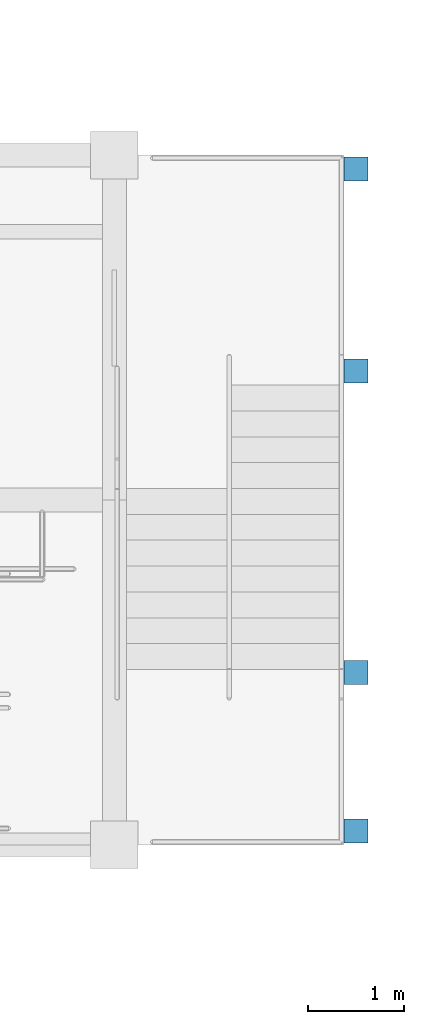
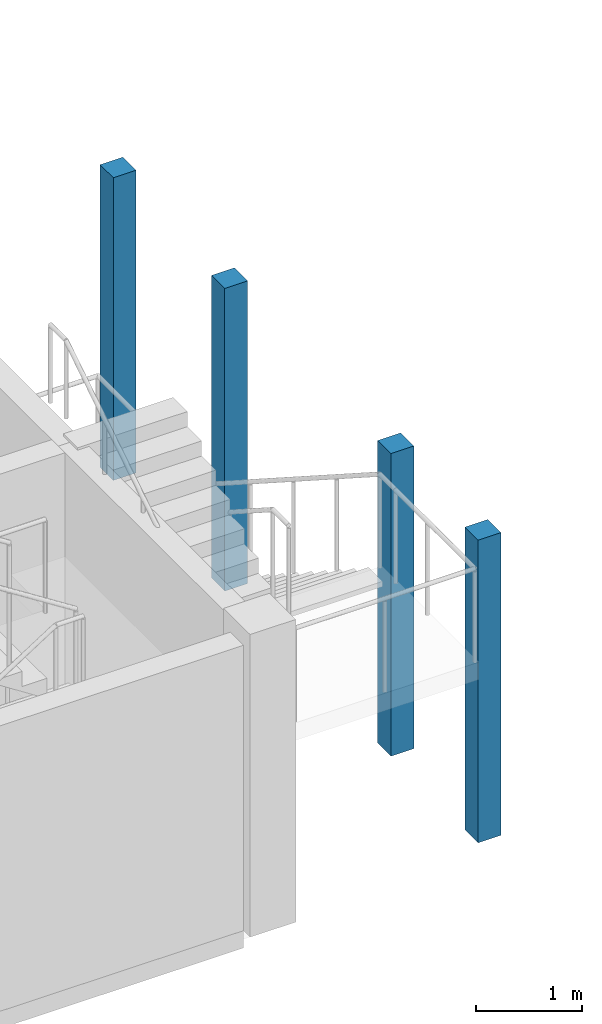
# One storey, part 2 of 101: 4 columns.
"""IFC4 building model written with IfcOpenShell, lengths in metres."""

import ifcopenshell
import ifcopenshell.guid

model = None  # the IFC model being written
_history = None  # IfcOwnerHistory: only IFC2X3 demands one
_inside = {}  # id of a spatial element -> (the spatial element, [elements in it])
_under = {}  # id of a project, library or spatial element -> (it, [spatial elements below it])
_declared = {}  # id of a project -> (the project, [libraries it declares])
_typed = {}  # id of a type object -> (the type object, [elements of that type])
_made_of = {}  # id of a material, layer set ... -> (it, [elements and type objects made of it])


def new_model(schema):
    """Start an empty IFC model of exactly this schema.

    Asked for "IFC4X3", IfcOpenShell would pick the latest addendum, in which some entities
    have other attributes; the version numbers below select the first issue.
    IFC2X3 requires an IfcOwnerHistory on every rooted entity: one is made here for all.
    """
    global model, _history
    if schema == "IFC4X3":
        model = ifcopenshell.file(schema_version=(4, 3, 0, 0))
    else:
        model = ifcopenshell.file(schema=schema)
    _inside.clear()
    _under.clear()
    _declared.clear()
    _typed.clear()
    _made_of.clear()
    _history = None
    if model.schema == "IFC2X3":
        org = make("IfcOrganization", Name="unknown")
        user = make(
            "IfcPersonAndOrganization",
            ThePerson=make("IfcPerson", FamilyName="unknown"),
            TheOrganization=org,
        )
        app = make(
            "IfcApplication",
            ApplicationDeveloper=org,
            Version="unknown",
            ApplicationFullName="unknown",
            ApplicationIdentifier="unknown",
        )
        _history = make(
            "IfcOwnerHistory",
            OwningUser=user,
            OwningApplication=app,
            ChangeAction="ADDED",
            CreationDate=0,
        )
    return model


def make(cls, **values):
    """One entity of the class cls with the attributes given. An attribute that is None is left unset."""
    return model.create_entity(
        cls, **{name: value for name, value in values.items() if value is not None}
    )


def rooted(cls, **values):
    """An entity with a GlobalId (a new one), such as an element, a storey or a relation."""
    return make(cls, GlobalId=ifcopenshell.guid.new(), OwnerHistory=_history, **values)


def si_unit(unit_type, name, prefix=None):
    """IfcSIUnit, for example si_unit("LENGTHUNIT", "METRE", prefix="MILLI")."""
    return make("IfcSIUnit", UnitType=unit_type, Prefix=prefix, Name=name)


def assignment(units):
    """IfcUnitAssignment: the units of a project."""
    return None if units is None else make("IfcUnitAssignment", Units=units)


def point(xyz):
    """IfcCartesianPoint."""
    return None if xyz is None else make("IfcCartesianPoint", Coordinates=xyz)


def direction(xyz):
    """IfcDirection."""
    return None if xyz is None else make("IfcDirection", DirectionRatios=xyz)


def frame(location, z_axis=None, x_axis=None):
    """IfcAxis2Placement3D, a coordinate frame: its origin and axes. An axis left out is left unset."""
    return make(
        "IfcAxis2Placement3D",
        Location=point(location),
        Axis=direction(z_axis),
        RefDirection=direction(x_axis),
    )


def frame_2d(location, x_axis=None):
    """IfcAxis2Placement2D, a coordinate frame in the plane: its origin and x axis."""
    return make(
        "IfcAxis2Placement2D", Location=point(location), RefDirection=direction(x_axis)
    )


def origin():
    """The frame at (0, 0, 0) with its axes left unset."""
    return frame((0.0, 0.0, 0.0))


def origin_2d():
    """The frame at (0, 0) in the plane with its x axis left unset."""
    return frame_2d((0.0, 0.0))


def place(relative_to, where):
    """IfcLocalPlacement: puts the frame where relative to a parent placement (None: the world)."""
    return make(
        "IfcLocalPlacement", PlacementRelTo=relative_to, RelativePlacement=where
    )


def context(
    kind, dimensions, precision=None, world=None, true_north=None, identifier=None
):
    """IfcGeometricRepresentationContext, for example the 3D "Model" context."""
    return make(
        "IfcGeometricRepresentationContext",
        ContextIdentifier=identifier,
        ContextType=kind,
        CoordinateSpaceDimension=dimensions,
        Precision=precision,
        WorldCoordinateSystem=world,
        TrueNorth=true_north,
    )


def subcontext(parent, identifier, kind, view, scale=None):
    """IfcGeometricRepresentationSubContext, for example "Body" below "Model"."""
    return make(
        "IfcGeometricRepresentationSubContext",
        ContextIdentifier=identifier,
        ContextType=kind,
        ParentContext=parent,
        TargetScale=scale,
        TargetView=view,
    )


def project(units=None, contexts=None):
    """IfcProject with its units and contexts."""
    return rooted(
        "IfcProject",
        Name="project",
        RepresentationContexts=contexts,
        UnitsInContext=assignment(units),
    )


def spatial(cls, under=None, at=None, **own):
    """A site, building, storey or space (cls), placed at a placement, below another one or the project."""
    s = rooted(cls, ObjectPlacement=at, **own)
    if under is not None:
        _under.setdefault(under.id(), (under, []))[1].append(s)
    return s


def profile(cls, at=None, kind="AREA", **sizes):
    """A parametric profile (cls). Its sizes go by their IFC names, for example OverallWidth=200.0."""
    return make(cls, ProfileType=kind, Position=at, **sizes)


def rectangle(**sizes):
    """IfcRectangleProfileDef."""
    return profile("IfcRectangleProfileDef", **sizes)


def extrude(swept, where, along, depth):
    """IfcExtrudedAreaSolid: the profile swept, set in the frame where, extruded along a direction by depth."""
    return make(
        "IfcExtrudedAreaSolid",
        SweptArea=swept,
        Position=where,
        ExtrudedDirection=direction(along),
        Depth=depth,
    )


def shape(context_of_items, identifier, shape_type, items):
    """IfcShapeRepresentation: the items that make up one representation, for example the "Body"."""
    return make(
        "IfcShapeRepresentation",
        ContextOfItems=context_of_items,
        RepresentationIdentifier=identifier,
        RepresentationType=shape_type,
        Items=items,
    )


def material(Name=None, Category=None):
    """IfcMaterial."""
    return make("IfcMaterial", Name=Name, Category=Category)


def material_profile(
    of_material, cross_section, Name=None, Category=None, Priority=None
):
    """IfcMaterialProfile: a cross section and its material."""
    return make(
        "IfcMaterialProfile",
        Name=Name,
        Material=of_material,
        Profile=cross_section,
        Priority=Priority,
        Category=Category,
    )


def profile_set(profiles, Name=None, composite=None):
    """IfcMaterialProfileSet."""
    return make(
        "IfcMaterialProfileSet",
        Name=Name,
        MaterialProfiles=profiles,
        CompositeProfile=composite,
    )


def made_of(thing, what):
    """Note that an element or type object is made of a material, layer set ...; save() writes the relation."""
    if what is not None:
        _made_of.setdefault(what.id(), (what, []))[1].append(thing)
    return thing


def type_object(cls, material=None, **own):
    """A type object (cls), such as IfcWallType, which elements share."""
    return made_of(rooted(cls, **own), material)


def element(
    cls,
    number,
    at=None,
    inside=None,
    cuts=None,
    type_object=None,
    material=None,
    context=None,
    identifier="Body",
    shape_type=None,
    held_by="IfcProductDefinitionShape",
    body=None,
    shapes=None,
    **own,
):
    """One element of the class cls, such as IfcWall. Its Tag is "e" and its number.

    at: its placement. inside: the storey or other place that contains it. cuts: it is an
    opening in that element (IfcRelVoidsElement). A single representation is given by context,
    identifier, shape_type and body (its items); several are given by shapes. held_by: the class
    of the entity that holds the representations. save() writes the other relations.
    """
    e = rooted(cls, Tag="e%d" % number, ObjectPlacement=at, **own)
    if body is not None:
        shapes = [shape(context, identifier, shape_type, body)]
    if shapes is not None:
        e.Representation = make(held_by, Representations=shapes)
    if inside is not None:
        _inside.setdefault(inside.id(), (inside, []))[1].append(e)
    if cuts is not None:
        rooted(
            "IfcRelVoidsElement", RelatingBuildingElement=cuts, RelatedOpeningElement=e
        )
    if type_object is not None:
        _typed.setdefault(type_object.id(), (type_object, []))[1].append(e)
    return made_of(e, material)


def aggregate(whole, parts):
    """IfcRelAggregates: a whole, such as a stair, and the parts it consists of."""
    return rooted("IfcRelAggregates", RelatingObject=whole, RelatedObjects=parts)


def save(model, path):
    """Write the relations noted so far, then the file.

    IfcRelAggregates (storeys below a building ...), IfcRelContainedInSpatialStructure (elements
    in a storey), IfcRelDefinesByType, IfcRelAssociatesMaterial and IfcRelDeclares: one each for
    every whole, place, type object, material and project.
    """
    for whole, parts in _under.values():
        aggregate(whole, parts)
    for where, things in _inside.values():
        rooted(
            "IfcRelContainedInSpatialStructure",
            RelatedElements=things,
            RelatingStructure=where,
        )
    for kind, things in _typed.values():
        rooted("IfcRelDefinesByType", RelatedObjects=things, RelatingType=kind)
    for what, things in _made_of.values():
        rooted("IfcRelAssociatesMaterial", RelatedObjects=things, RelatingMaterial=what)
    for by, libraries in _declared.values():
        rooted("IfcRelDeclares", RelatingContext=by, RelatedDefinitions=libraries)
    model.write(path)


model = new_model("IFC4")

# Units and contexts
model_context = context("Model", 3, precision=1e-05, world=origin(), true_north=direction((0.0, 1.0)))
body_context = subcontext(model_context, "Body", "Model", "MODEL_VIEW")
ifc_project = project(units=[si_unit("LENGTHUNIT", "METRE"), si_unit("AREAUNIT", "SQUARE_METRE"), si_unit("VOLUMEUNIT", "CUBIC_METRE"), si_unit("PLANEANGLEUNIT", "RADIAN"), si_unit("MASSUNIT", "GRAM", prefix="KILO")], contexts=[model_context])

# Site, building, storey
site_placement = place(None, origin())
site = spatial("IfcSite", under=ifc_project, at=site_placement, CompositionType="ELEMENT")
building_placement = place(site_placement, origin())
building = spatial("IfcBuilding", under=site, at=building_placement, Name="Laocheng Heights Fire and Rescue Headquarters", CompositionType="ELEMENT")
storey_placement = place(building_placement, frame((0.0, 0.0, 8.39990234375)))
storey = spatial("IfcBuildingStorey", under=building, at=storey_placement, Name="L02", CompositionType="ELEMENT", Elevation=8.39990234375)

# Columns
ifc_material = material(Name="Concrete C40", Category="concrete")
ifc_material_profile = material_profile(ifc_material, rectangle(XDim=0.25, YDim=0.25, at=origin_2d()), Name="STAIR LANDING POST 250x250")
ifc_profile_set = profile_set([ifc_material_profile], Name="Concrete C40")
column_type = type_object("IfcColumnType", Name="STAIR LANDING POST 250x250", PredefinedType="COLUMN", material=ifc_profile_set)
for number, where, z_axis, x_axis, name in (
    (1, (128.52490234375, 32.945068359375, 2.10009765625), (0.0, 0.0, 1.0), (1.0, 0.0, 0.0), "Stair T2 landing post F4 1"),
    (2, (128.52490234375, 35.054931640625, 2.10009765625), (0.0, 0.0, 1.0), (1.0, 0.0, 0.0), "Stair T2 landing post F4 2"),
    (3, (128.52490234375, 28.14501953125, 2.10009765625), (0.0, 0.0, 1.0), (1.0, 0.0, 0.0), "Stair T2 landing post F4 3"),
    (4, (128.52490234375, 29.796875, 2.10009765625), (0.0, 0.0, 1.0), (1.0, 0.0, 0.0), "Stair T2 landing post F4 4"),
):
    element("IfcColumn", number, at=place(storey_placement, frame(where, z_axis=z_axis, x_axis=x_axis)), inside=storey, type_object=column_type, Name=name, PredefinedType="COLUMN", context=body_context, shape_type="SweptSolid", body=[
        extrude(rectangle(XDim=0.25, YDim=0.25, at=origin_2d()), origin(), (0.0, 0.0, 1.0), 3.5),
    ])

save(model, "model.ifc")
